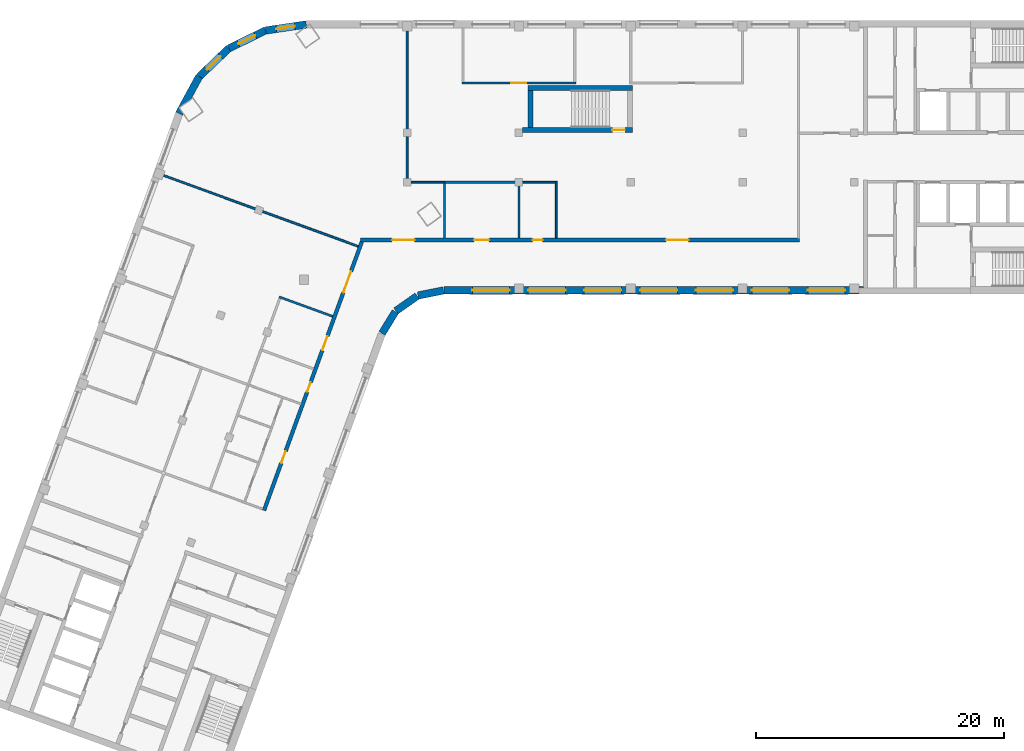
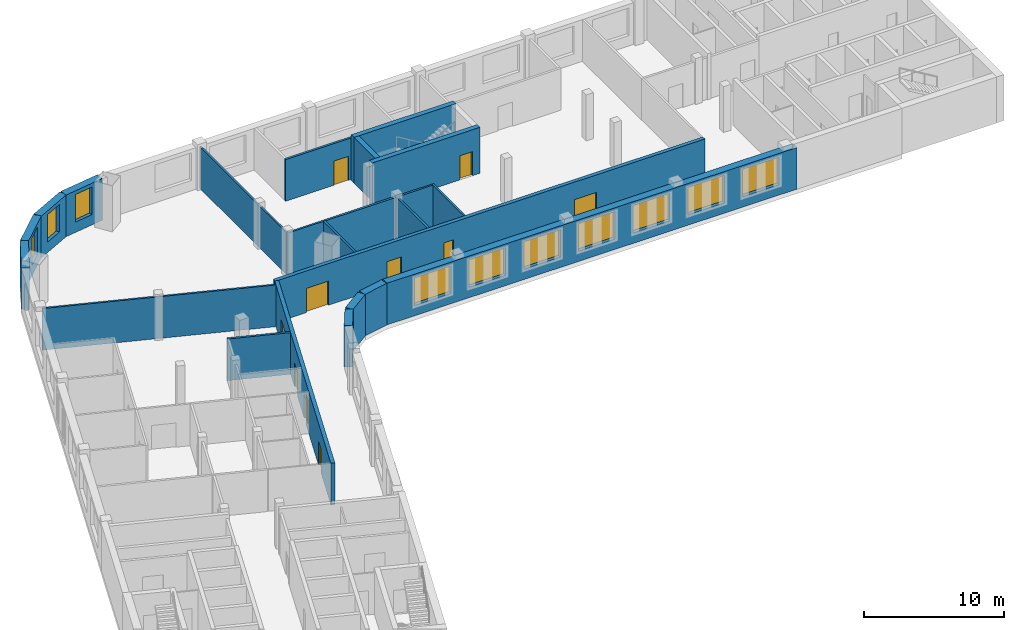
# One storey, part 4 of 8: 23 walls, 10 doors, 10 windows, 20 openings.
"""IFC4 building model written with IfcOpenShell, lengths in metres."""

from ifc_helpers import new_model, si_unit, direction, frame, frame_2d, origin, place, context, subcontext, project, spatial, rectangle, extrude, material, layer, layer_set, type_object, element, fill, save


model = new_model("IFC4")

# Units and contexts
model_context = context("Model", 3, precision=1e-05, world=origin(), true_north=direction((0.0, 1.0)))
body_context = subcontext(model_context, "Body", "Model", "MODEL_VIEW")
ifc_project = project(units=[si_unit("LENGTHUNIT", "METRE"), si_unit("AREAUNIT", "SQUARE_METRE"), si_unit("VOLUMEUNIT", "CUBIC_METRE"), si_unit("PLANEANGLEUNIT", "RADIAN"), si_unit("MASSUNIT", "GRAM", prefix="KILO")], contexts=[model_context])

# Site, building, storey
site_placement = place(None, origin())
site = spatial("IfcSite", under=ifc_project, at=site_placement, CompositionType="ELEMENT")
building_placement = place(site_placement, origin())
building = spatial("IfcBuilding", under=site, at=building_placement, Name="Skarvind Civic Tower", CompositionType="ELEMENT")
storey_placement = place(building_placement, frame((0.0, 0.0, 232.0)))
storey = spatial("IfcBuildingStorey", under=building, at=storey_placement, Name="L55", CompositionType="ELEMENT", Elevation=232.0)

# Walls
ifc_material_1 = material(Name="Acoustic gypsum board on steel studs", Category="steel")
ifc_layer_1 = layer(ifc_material_1, 0.175048828125)
ifc_layer_set_1 = layer_set([ifc_layer_1], Name="ACOUSTIC MEETING-ROOM PARTITION 175")
wall_type_1 = type_object("IfcWallType", Name="ACOUSTIC MEETING-ROOM PARTITION 175", PredefinedType="PARTITIONING", material=ifc_layer_set_1)
wall_1_placement = place(storey_placement, frame((48.260009765625, 115.205078125, 0.0), z_axis=(0.0, 0.0, 1.0), x_axis=(-0.939684589011, 0.34204220964, 0.0)))
element("IfcWall", 1, at=wall_1_placement, inside=storey, type_object=wall_type_1, Name="Partition 55.027", PredefinedType="PARTITIONING", context=body_context, shape_type="SweptSolid", body=[
    extrude(rectangle(XDim=4.586669921875, YDim=0.175048828125, at=frame_2d((2.29345703125, 0.0))), origin(), (0.0, 0.0, 1.0), 3.625),
])
wall_2_placement = place(storey_placement, frame((57.25, 125.9990234375, 0.0), z_axis=(0.0, 0.0, 1.0), x_axis=(0.0, -1.0, 0.0)))
element("IfcWall", 2, at=wall_2_placement, inside=storey, type_object=wall_type_1, Name="Partition 55.032", PredefinedType="PARTITIONING", context=body_context, shape_type="SweptSolid", body=[
    extrude(rectangle(XDim=4.498046875, YDim=0.175048828125, at=frame_2d((2.2490234375, 0.0))), origin(), (0.0, 0.0, 1.0), 3.625),
])
wall_3_placement = place(storey_placement, frame((63.25, 121.5, 0.0), z_axis=(0.0, 0.0, 1.0), x_axis=(0.0, 1.0, 0.0)))
element("IfcWall", 3, at=wall_3_placement, inside=storey, type_object=wall_type_1, Name="Partition 55.034", PredefinedType="PARTITIONING", context=body_context, shape_type="SweptSolid", body=[
    extrude(rectangle(XDim=4.412109375, YDim=0.175048828125, at=frame_2d((2.2060546875, 0.0))), origin(), (0.0, 0.0, 1.0), 3.625),
])
wall_4_placement = place(storey_placement, frame((63.25, 126.0, 0.0), z_axis=(0.0, 0.0, 1.0), x_axis=(-1.0, 0.0, 0.0)))
element("IfcWall", 4, at=wall_4_placement, inside=storey, type_object=wall_type_1, Name="Partition 55.035", PredefinedType="PARTITIONING", context=body_context, shape_type="SweptSolid", body=[
    extrude(rectangle(XDim=6.0, YDim=0.175048828125, at=frame_2d((3.0, 0.0))), origin(), (0.0, 0.0, 1.0), 3.625),
])

# Wall, opening, door
wall_5_placement = place(storey_placement, frame((67.837890625, 134.0, 0.0), z_axis=(0.0, 0.0, 1.0), x_axis=(-1.0, 0.0, 0.0)))
wall_5 = element("IfcWall", 5, at=wall_5_placement, inside=storey, type_object=wall_type_1, Name="Partition 55.038", PredefinedType="PARTITIONING", context=body_context, shape_type="SweptSolid", body=[
    extrude(rectangle(XDim=9.17578125, YDim=0.175048828125, at=frame_2d((4.587890625, 0.0))), origin(), (0.0, 0.0, 1.0), 3.625),
])
opening_1_placement = place(wall_5_placement, frame((3.988037109375, 0.0, 0.0)))
opening_1 = element("IfcOpeningElement", 6, at=opening_1_placement, cuts=wall_5, Name="Opening L55-D005", PredefinedType="OPENING", context=body_context, shape_type="SweptSolid", body=[
    extrude(rectangle(XDim=1.199951171875, YDim=2.10009765625, at=frame_2d((0.60009765625, 1.050048828125))), frame((0.0, 0.097412109375, 0.0), z_axis=(0.0, -1.0, 0.0), x_axis=(1.0, 0.0, 0.0)), (0.0, 0.0, 1.0), 0.195068359375),
])
ifc_material_2 = material(Name="Timber door leaf", Category="wood")
door_type_1 = type_object("IfcDoorType", Name="DOOR 1200X2100 DOUBLE TIMBER", OperationType="NOTDEFINED", PredefinedType="DOOR", material=ifc_material_2)
door_1_placement = place(opening_1_placement, origin())
door_1 = element("IfcDoor", 7, at=door_1_placement, inside=storey, type_object=door_type_1, Name="Door L55-D005", OperationType="DOUBLE_DOOR_SINGLE_SWING", OverallHeight=2.10009765625, OverallWidth=1.199951171875, PredefinedType="DOOR", context=body_context, shape_type="SweptSolid", body=[
    extrude(rectangle(XDim=1.199951171875, YDim=2.10009765625, at=frame_2d((0.60009765625, 1.050048828125))), frame((0.0, 0.02490234375, 0.0), z_axis=(0.0, -1.0, 0.0), x_axis=(1.0, 0.0, 0.0)), (0.0, 0.0, 1.0), 0.050048828125),
])
fill(opening_1, door_1)

# Wall, openings, doors
ifc_material_3 = material(Name="Fire-rated gypsum board on steel studs", Category="steel")
ifc_layer_2 = layer(ifc_material_3, 0.300048828125)
ifc_layer_set_2 = layer_set([ifc_layer_2], Name="CORRIDOR WALL 300")
wall_type_2 = type_object("IfcWallType", Name="CORRIDOR WALL 300", PredefinedType="PARTITIONING", material=ifc_layer_set_2)
wall_6_placement = place(storey_placement, frame((42.737060546875, 99.590087890625, 0.0), z_axis=(0.0, 0.0, 1.0), x_axis=(0.341992703977, 0.939702607438, 0.0)))
wall_6 = element("IfcWall", 8, at=wall_6_placement, inside=storey, type_object=wall_type_2, Name="Partition 55.023", PredefinedType="PARTITIONING", context=body_context, shape_type="SweptSolid", body=[
    extrude(rectangle(XDim=23.006103515625, YDim=0.300048828125, at=frame_2d((11.5029296875, 0.0))), origin(), (0.0, 0.0, 1.0), 3.625),
])
opening_2_placement = place(wall_6_placement, frame((4.0625, 0.0, 0.0)))
opening_2 = element("IfcOpeningElement", 9, at=opening_2_placement, cuts=wall_6, Name="Opening L55-D008", PredefinedType="OPENING", context=body_context, shape_type="SweptSolid", body=[
    extrude(rectangle(XDim=1.0, YDim=2.10009765625, at=frame_2d((0.5, 1.050048828125))), frame((0.0, 0.159912109375, 0.0), z_axis=(0.0, -1.0, 0.0), x_axis=(1.0, 0.0, 0.0)), (0.0, 0.0, 1.0), 0.320068359375),
])
opening_3_placement = place(wall_6_placement, frame((10.162353515625, 0.0, 0.0)))
opening_3 = element("IfcOpeningElement", 10, at=opening_3_placement, cuts=wall_6, Name="Opening L55-D014", PredefinedType="OPENING", context=body_context, shape_type="SweptSolid", body=[
    extrude(rectangle(XDim=0.800048828125, YDim=2.10009765625, at=frame_2d((0.39990234375, 1.050048828125))), frame((0.0, 0.159912109375, 0.0), z_axis=(0.0, -1.0, 0.0), x_axis=(1.0, 0.0, 0.0)), (0.0, 0.0, 1.0), 0.320068359375),
])
opening_4_placement = place(wall_6_placement, frame((13.71240234375, 0.0, 0.0)))
opening_4 = element("IfcOpeningElement", 11, at=opening_4_placement, cuts=wall_6, Name="Opening L55-D015", PredefinedType="OPENING", context=body_context, shape_type="SweptSolid", body=[
    extrude(rectangle(XDim=1.199951171875, YDim=2.10009765625, at=frame_2d((0.60009765625, 1.050048828125))), frame((0.0, 0.159912109375, 0.0), z_axis=(0.0, -1.0, 0.0), x_axis=(1.0, 0.0, 0.0)), (0.0, 0.0, 1.0), 0.320068359375),
])
opening_5_placement = place(wall_6_placement, frame((18.662353515625, 0.0, 0.0)))
opening_5 = element("IfcOpeningElement", 12, at=opening_5_placement, cuts=wall_6, Name="Opening L55-D018", PredefinedType="OPENING", context=body_context, shape_type="SweptSolid", body=[
    extrude(rectangle(XDim=1.800048828125, YDim=2.10009765625, at=frame_2d((0.89990234375, 1.050048828125))), frame((0.0, 0.159912109375, 0.0), z_axis=(0.0, -1.0, 0.0), x_axis=(1.0, 0.0, 0.0)), (0.0, 0.0, 1.0), 0.320068359375),
])
ifc_material_4 = material(Name="Fire-rated timber door leaf", Category="wood")
door_type_2 = type_object("IfcDoorType", Name="FD1 1000x2100", OperationType="NOTDEFINED", PredefinedType="DOOR", material=ifc_material_4)
door_2_placement = place(opening_2_placement, origin())
door_2 = element("IfcDoor", 13, at=door_2_placement, inside=storey, type_object=door_type_2, Name="Door L55-D008", OperationType="SINGLE_SWING_LEFT", OverallHeight=2.10009765625, OverallWidth=1.0, PredefinedType="DOOR", context=body_context, shape_type="SweptSolid", body=[
    extrude(rectangle(XDim=1.0, YDim=2.10009765625, at=frame_2d((0.5, 1.050048828125))), frame((0.0, 0.02490234375, 0.0), z_axis=(0.0, -1.0, 0.0), x_axis=(1.0, 0.0, 0.0)), (0.0, 0.0, 1.0), 0.050048828125),
])
fill(opening_2, door_2)
door_type_3 = type_object("IfcDoorType", Name="FD4 1800x2100", OperationType="NOTDEFINED", PredefinedType="DOOR", material=ifc_material_4)
door_3_placement = place(opening_5_placement, origin())
door_3 = element("IfcDoor", 14, at=door_3_placement, inside=storey, type_object=door_type_3, Name="Door L55-D018", OperationType="DOUBLE_DOOR_SINGLE_SWING", OverallHeight=2.10009765625, OverallWidth=1.800048828125, PredefinedType="DOOR", context=body_context, shape_type="SweptSolid", body=[
    extrude(rectangle(XDim=1.800048828125, YDim=2.10009765625, at=frame_2d((0.89990234375, 1.050048828125))), frame((0.0, 0.02490234375, 0.0), z_axis=(0.0, -1.0, 0.0), x_axis=(1.0, 0.0, 0.0)), (0.0, 0.0, 1.0), 0.050048828125),
])
fill(opening_5, door_3)
door_type_4 = type_object("IfcDoorType", Name="FD5 800x2100", OperationType="NOTDEFINED", PredefinedType="DOOR", material=ifc_material_4)
door_4_placement = place(opening_3_placement, origin())
door_4 = element("IfcDoor", 15, at=door_4_placement, inside=storey, type_object=door_type_4, Name="Door L55-D014", OperationType="SINGLE_SWING_RIGHT", OverallHeight=2.10009765625, OverallWidth=0.800048828125, PredefinedType="DOOR", context=body_context, shape_type="SweptSolid", body=[
    extrude(rectangle(XDim=0.800048828125, YDim=2.10009765625, at=frame_2d((0.39990234375, 1.050048828125))), frame((0.0, 0.02490234375, 0.0), z_axis=(0.0, -1.0, 0.0), x_axis=(1.0, 0.0, 0.0)), (0.0, 0.0, 1.0), 0.050048828125),
])
fill(opening_3, door_4)
door_type_5 = type_object("IfcDoorType", Name="FD6 1200x2100 DOUBLE", OperationType="NOTDEFINED", PredefinedType="DOOR", material=ifc_material_4)
door_5_placement = place(opening_4_placement, origin())
door_5 = element("IfcDoor", 16, at=door_5_placement, inside=storey, type_object=door_type_5, Name="Door L55-D015", OperationType="DOUBLE_DOOR_SINGLE_SWING", OverallHeight=2.10009765625, OverallWidth=1.199951171875, PredefinedType="DOOR", context=body_context, shape_type="SweptSolid", body=[
    extrude(rectangle(XDim=1.199951171875, YDim=2.10009765625, at=frame_2d((0.60009765625, 1.050048828125))), frame((0.0, 0.02490234375, 0.0), z_axis=(0.0, -1.0, 0.0), x_axis=(1.0, 0.0, 0.0)), (0.0, 0.0, 1.0), 0.050048828125),
])
fill(opening_4, door_5)

wall_7_placement = place(storey_placement, frame((50.506103515625, 121.35009765625, 0.0), z_axis=(0.0, 0.0, 1.0), x_axis=(1.0, 0.0, 0.0)))
wall_7 = element("IfcWall", 17, at=wall_7_placement, inside=storey, type_object=wall_type_2, Name="Partition 55.029", PredefinedType="PARTITIONING", context=body_context, shape_type="SweptSolid", body=[
    extrude(rectangle(XDim=35.31884765625, YDim=0.300048828125, at=frame_2d((17.659423828125, 0.0))), origin(), (0.0, 0.0, 1.0), 3.625),
])
opening_6_placement = place(wall_7_placement, frame((13.843994140625, 0.0, 0.0)))
opening_6 = element("IfcOpeningElement", 18, at=opening_6_placement, cuts=wall_7, Name="Opening L55-D002", PredefinedType="OPENING", context=body_context, shape_type="SweptSolid", body=[
    extrude(rectangle(XDim=0.800048828125, YDim=2.10009765625, at=frame_2d((0.39990234375, 1.050048828125))), frame((0.0, 0.159912109375, 0.0), z_axis=(0.0, -1.0, 0.0), x_axis=(1.0, 0.0, 0.0)), (0.0, 0.0, 1.0), 0.320068359375),
])
opening_7_placement = place(wall_7_placement, frame((9.14404296875, 0.0, 0.0)))
opening_7 = element("IfcOpeningElement", 19, at=opening_7_placement, cuts=wall_7, Name="Opening L55-D003", PredefinedType="OPENING", context=body_context, shape_type="SweptSolid", body=[
    extrude(rectangle(XDim=1.199951171875, YDim=2.10009765625, at=frame_2d((0.60009765625, 1.050048828125))), frame((0.0, 0.159912109375, 0.0), z_axis=(0.0, -1.0, 0.0), x_axis=(1.0, 0.0, 0.0)), (0.0, 0.0, 1.0), 0.320068359375),
])
opening_8_placement = place(wall_7_placement, frame((24.593994140625, 0.0, 0.0)))
opening_8 = element("IfcOpeningElement", 20, at=opening_8_placement, cuts=wall_7, Name="Opening L55-D006", PredefinedType="OPENING", context=body_context, shape_type="SweptSolid", body=[
    extrude(rectangle(XDim=1.800048828125, YDim=2.10009765625, at=frame_2d((0.89990234375, 1.050048828125))), frame((0.0, 0.159912109375, 0.0), z_axis=(0.0, -1.0, 0.0), x_axis=(1.0, 0.0, 0.0)), (0.0, 0.0, 1.0), 0.320068359375),
])
opening_9_placement = place(wall_7_placement, frame((2.54296875, 0.0, 0.0)))
opening_9 = element("IfcOpeningElement", 21, at=opening_9_placement, cuts=wall_7, Name="Opening L55-D019", PredefinedType="OPENING", context=body_context, shape_type="SweptSolid", body=[
    extrude(rectangle(XDim=1.800048828125, YDim=2.10009765625, at=frame_2d((0.89990234375, 1.050048828125))), frame((0.0, 0.159912109375, 0.0), z_axis=(0.0, -1.0, 0.0), x_axis=(1.0, 0.0, 0.0)), (0.0, 0.0, 1.0), 0.320068359375),
])
door_6_placement = place(opening_8_placement, origin())
door_6 = element("IfcDoor", 22, at=door_6_placement, inside=storey, type_object=door_type_3, Name="Door L55-D006", OperationType="DOUBLE_DOOR_SINGLE_SWING", OverallHeight=2.10009765625, OverallWidth=1.800048828125, PredefinedType="DOOR", context=body_context, shape_type="SweptSolid", body=[
    extrude(rectangle(XDim=1.800048828125, YDim=2.10009765625, at=frame_2d((0.89990234375, 1.050048828125))), frame((0.0, 0.02490234375, 0.0), z_axis=(0.0, -1.0, 0.0), x_axis=(1.0, 0.0, 0.0)), (0.0, 0.0, 1.0), 0.050048828125),
])
fill(opening_8, door_6)
door_7_placement = place(opening_9_placement, origin())
door_7 = element("IfcDoor", 23, at=door_7_placement, inside=storey, type_object=door_type_3, Name="Door L55-D019", OperationType="DOUBLE_DOOR_SINGLE_SWING", OverallHeight=2.10009765625, OverallWidth=1.800048828125, PredefinedType="DOOR", context=body_context, shape_type="SweptSolid", body=[
    extrude(rectangle(XDim=1.800048828125, YDim=2.10009765625, at=frame_2d((0.89990234375, 1.050048828125))), frame((0.0, 0.02490234375, 0.0), z_axis=(0.0, -1.0, 0.0), x_axis=(1.0, 0.0, 0.0)), (0.0, 0.0, 1.0), 0.050048828125),
])
fill(opening_9, door_7)
door_8_placement = place(opening_6_placement, origin())
door_8 = element("IfcDoor", 24, at=door_8_placement, inside=storey, type_object=door_type_4, Name="Door L55-D002", OperationType="SINGLE_SWING_LEFT", OverallHeight=2.10009765625, OverallWidth=0.800048828125, PredefinedType="DOOR", context=body_context, shape_type="SweptSolid", body=[
    extrude(rectangle(XDim=0.800048828125, YDim=2.10009765625, at=frame_2d((0.39990234375, 1.050048828125))), frame((0.0, 0.02490234375, 0.0), z_axis=(0.0, -1.0, 0.0), x_axis=(1.0, 0.0, 0.0)), (0.0, 0.0, 1.0), 0.050048828125),
])
fill(opening_6, door_8)
door_9_placement = place(opening_7_placement, origin())
door_9 = element("IfcDoor", 25, at=door_9_placement, inside=storey, type_object=door_type_5, Name="Door L55-D003", OperationType="DOUBLE_DOOR_SINGLE_SWING", OverallHeight=2.10009765625, OverallWidth=1.199951171875, PredefinedType="DOOR", context=body_context, shape_type="SweptSolid", body=[
    extrude(rectangle(XDim=1.199951171875, YDim=2.10009765625, at=frame_2d((0.60009765625, 1.050048828125))), frame((0.0, 0.02490234375, 0.0), z_axis=(0.0, -1.0, 0.0), x_axis=(1.0, 0.0, 0.0)), (0.0, 0.0, 1.0), 0.050048828125),
])
fill(opening_7, door_9)

# Wall, opening, door
ifc_material_5 = material(Name="Concrete C60", Category="concrete")
ifc_layer_3 = layer(ifc_material_5, 0.39990234375)
ifc_layer_set_3 = layer_set([ifc_layer_3], Name="Core wall 400 C60")
wall_type_3 = type_object("IfcWallType", Name="Core wall 400 C60", PredefinedType="SHEAR", material=ifc_layer_set_3)
wall_8_placement = place(storey_placement, frame((63.550048828125, 130.199951171875, 0.0), z_axis=(0.0, 0.0, 1.0), x_axis=(1.0, 0.0, 0.0)))
wall_8 = element("IfcWall", 26, at=wall_8_placement, inside=storey, type_object=wall_type_3, Name="Core wall CM inner L55", PredefinedType="SHEAR", context=body_context, shape_type="SweptSolid", body=[
    extrude(rectangle(XDim=8.849853515625, YDim=0.39990234375, at=frame_2d((4.4248046875, 0.0))), origin(), (0.0, 0.0, 1.0), 4.0),
])
opening_10_placement = place(wall_8_placement, frame((7.22509765625, 0.0, 0.0)))
opening_10 = element("IfcOpeningElement", 27, at=opening_10_placement, cuts=wall_8, Name="Opening D-L55-CM-01", PredefinedType="OPENING", context=body_context, shape_type="SweptSolid", body=[
    extrude(rectangle(XDim=1.0, YDim=2.10009765625, at=frame_2d((0.5, 1.050048828125))), frame((0.0, 0.2099609375, 0.0), z_axis=(0.0, -1.0, 0.0), x_axis=(1.0, 0.0, 0.0)), (0.0, 0.0, 1.0), 0.419921875),
])
ifc_material_6 = material(Name="Fire-rated steel door", Category="steel")
door_type_6 = type_object("IfcDoorType", Name="Fire door 1000", OperationType="NOTDEFINED", PredefinedType="DOOR", material=ifc_material_6)
door_10_placement = place(opening_10_placement, origin())
door_10 = element("IfcDoor", 28, at=door_10_placement, inside=storey, type_object=door_type_6, Name="Fire door", OperationType="SINGLE_SWING_LEFT", OverallHeight=2.10009765625, OverallWidth=1.0, PredefinedType="DOOR", context=body_context, shape_type="SweptSolid", body=[
    extrude(rectangle(XDim=1.0, YDim=2.10009765625, at=frame_2d((0.5, 1.050048828125))), frame((0.0, 0.02490234375, 0.0), z_axis=(0.0, -1.0, 0.0), x_axis=(1.0, 0.0, 0.0)), (0.0, 0.0, 1.0), 0.050048828125),
])
fill(opening_10, door_10)

# Walls
wall_9_placement = place(storey_placement, frame((64.0, 133.60009765625, 0.0), z_axis=(0.0, 0.0, 1.0), x_axis=(1.0, 0.0, 0.0)))
element("IfcWall", 29, at=wall_9_placement, inside=storey, type_object=wall_type_3, Name="Core wall CM outer L55", PredefinedType="SHEAR", context=body_context, shape_type="SweptSolid", body=[
    extrude(rectangle(XDim=8.39990234375, YDim=0.39990234375, at=frame_2d((4.199951171875, 0.0))), origin(), (0.0, 0.0, 1.0), 4.0),
])
wall_10_placement = place(storey_placement, frame((64.199951171875, 130.39990234375, 0.0), z_axis=(0.0, 0.0, 1.0), x_axis=(0.0, 1.0, 0.0)))
element("IfcWall", 30, at=wall_10_placement, inside=storey, type_object=wall_type_3, Name="Core wall CM west L55", PredefinedType="SHEAR", context=body_context, shape_type="SweptSolid", body=[
    extrude(rectangle(XDim=3.0, YDim=0.39990234375, at=frame_2d((1.5, 0.0))), origin(), (0.0, 0.0, 1.0), 4.0),
])
ifc_material_7 = material(Name="Plasterboard partition on steel studs", Category="steel")
ifc_layer_4 = layer(ifc_material_7, 0.14990234375)
ifc_layer_set_4 = layer_set([ifc_layer_4], Name="PARTITION 150")
wall_type_4 = type_object("IfcWallType", Name="PARTITION 150", PredefinedType="PARTITIONING", material=ifc_layer_set_4)
wall_11_placement = place(storey_placement, frame((50.31103515625, 120.843017578125, 0.0), z_axis=(0.0, 0.0, 1.0), x_axis=(-0.939664702396, 0.342096838733, 0.0)))
element("IfcWall", 31, at=wall_11_placement, inside=storey, type_object=wall_type_4, Name="Partition 55.028", PredefinedType="PARTITIONING", context=body_context, shape_type="SweptSolid", body=[
    extrude(rectangle(XDim=16.898681640625, YDim=0.14990234375, at=frame_2d((8.44921875, 0.0))), origin(), (0.0, 0.0, 1.0), 3.625),
])
wall_12_placement = place(storey_placement, frame((54.25, 138.39892578125, 0.0), z_axis=(0.0, 0.0, 1.0), x_axis=(0.0, -1.0, 0.0)))
element("IfcWall", 32, at=wall_12_placement, inside=storey, type_object=wall_type_4, Name="Partition 55.030", PredefinedType="PARTITIONING", context=body_context, shape_type="SweptSolid", body=[
    extrude(rectangle(XDim=12.39697265625, YDim=0.14990234375, at=frame_2d((6.198486328125, 0.0))), origin(), (0.0, 0.0, 1.0), 3.625),
])
wall_13_placement = place(storey_placement, frame((54.251953125, 126.0, 0.0), z_axis=(0.0, 0.0, 1.0), x_axis=(1.0, 0.0, 0.0)))
element("IfcWall", 33, at=wall_13_placement, inside=storey, type_object=wall_type_4, Name="Partition 55.031", PredefinedType="PARTITIONING", context=body_context, shape_type="SweptSolid", body=[
    extrude(rectangle(XDim=2.9970703125, YDim=0.14990234375, at=frame_2d((1.49853515625, 0.0))), origin(), (0.0, 0.0, 1.0), 3.625),
])
wall_14_placement = place(storey_placement, frame((66.25, 121.5, 0.0), z_axis=(0.0, 0.0, 1.0), x_axis=(0.0, 1.0, 0.0)))
element("IfcWall", 34, at=wall_14_placement, inside=storey, type_object=wall_type_4, Name="Partition 55.036", PredefinedType="PARTITIONING", context=body_context, shape_type="SweptSolid", body=[
    extrude(rectangle(XDim=4.574951171875, YDim=0.14990234375, at=frame_2d((2.28759765625, 0.0))), origin(), (0.0, 0.0, 1.0), 3.625),
])
wall_15_placement = place(storey_placement, frame((66.175048828125, 126.0, 0.0), z_axis=(0.0, 0.0, 1.0), x_axis=(-1.0, 0.0, 0.0)))
element("IfcWall", 35, at=wall_15_placement, inside=storey, type_object=wall_type_4, Name="Partition 55.037", PredefinedType="PARTITIONING", context=body_context, shape_type="SweptSolid", body=[
    extrude(rectangle(XDim=2.925048828125, YDim=0.14990234375, at=frame_2d((1.46240234375, 0.0))), origin(), (0.0, 0.0, 1.0), 3.625),
])
ifc_material_8 = material(Name="Limestone masonry cladding on insulated backing", Category="masonry")
ifc_layer_5 = layer(ifc_material_8, 0.60009765625)
ifc_layer_set_5 = layer_set([ifc_layer_5], Name="WX1 STONE FACADE WALL 600")
wall_type_5 = type_object("IfcWallType", Name="WX1 STONE FACADE WALL 600", PredefinedType="SOLIDWALL", material=ifc_layer_set_5)
wall_16_placement = place(storey_placement, frame((53.30517578125, 115.578369140625, 0.0), z_axis=(0.0, 0.0, 1.0), x_axis=(-0.522402266438, -0.852699168535, 0.0)))
element("IfcWall", 36, at=wall_16_placement, inside=storey, type_object=wall_type_5, Name="STONE FACADE WALL", PredefinedType="SOLIDWALL", context=body_context, shape_type="SweptSolid", body=[
    extrude(rectangle(XDim=2.042236328125, YDim=0.60009765625, at=frame_2d((1.02099609375, 0.0))), origin(), (0.0, 0.0, 1.0), 3.625),
])
for number, where, z_axis, x_axis, name in (
    (37, (55.061767578125, 116.8388671875, 0.0), (0.0, 0.0, 1.0), (-0.819122269495, -0.573618956815, 0.0), "STONE FACADE WALL"),
    (38, (57.17529296875, 117.2939453125, 0.0), (0.0, 0.0, 1.0), (-0.97996099083, -0.19918949885, 0.0), "STONE FACADE WALL"),
):
    element("IfcWall", number, at=place(storey_placement, frame(where, z_axis=z_axis, x_axis=x_axis)), inside=storey, type_object=wall_type_5, Name=name, PredefinedType="SOLIDWALL", context=body_context, shape_type="SweptSolid", body=[
        extrude(rectangle(XDim=2.09228515625, YDim=0.60009765625, at=frame_2d((1.046142578125, 0.0))), origin(), (0.0, 0.0, 1.0), 3.625),
    ])

# Wall, openings, windows
wall_17_placement = place(storey_placement, frame((90.97998046875, 117.300048828125, 0.0), z_axis=(0.0, 0.0, 1.0), x_axis=(-1.0, 0.0, 0.0)))
wall_17 = element("IfcWall", 39, at=wall_17_placement, inside=storey, type_object=wall_type_5, Name="STONE FACADE WALL", PredefinedType="SOLIDWALL", context=body_context, shape_type="SweptSolid", body=[
    extrude(rectangle(XDim=33.744873046875, YDim=0.60009765625, at=frame_2d((16.87255859375, 0.0))), origin(), (0.0, 0.0, 1.0), 3.625),
])
opening_11_placement = place(wall_17_placement, frame((1.47998046875, 0.0, 0.89990234375)))
opening_11 = element("IfcOpeningElement", 40, at=opening_11_placement, cuts=wall_17, Name="Opening WN1", PredefinedType="OPENING", context=body_context, shape_type="SweptSolid", body=[
    extrude(rectangle(XDim=3.0, YDim=2.39990234375, at=frame_2d((1.5, 1.199951171875))), frame((0.0, 0.31005859375, 0.0), z_axis=(0.0, -1.0, 0.0), x_axis=(1.0, 0.0, 0.0)), (0.0, 0.0, 1.0), 0.6201171875),
])
opening_12_placement = place(wall_17_placement, frame((5.97998046875, 0.0, 0.89990234375)))
opening_12 = element("IfcOpeningElement", 41, at=opening_12_placement, cuts=wall_17, Name="Opening WN1", PredefinedType="OPENING", context=body_context, shape_type="SweptSolid", body=[
    extrude(rectangle(XDim=3.0, YDim=2.39990234375, at=frame_2d((1.5, 1.199951171875))), frame((0.0, 0.31005859375, 0.0), z_axis=(0.0, -1.0, 0.0), x_axis=(1.0, 0.0, 0.0)), (0.0, 0.0, 1.0), 0.6201171875),
])
opening_13_placement = place(wall_17_placement, frame((10.47998046875, 0.0, 0.89990234375)))
opening_13 = element("IfcOpeningElement", 42, at=opening_13_placement, cuts=wall_17, Name="Opening WN1", PredefinedType="OPENING", context=body_context, shape_type="SweptSolid", body=[
    extrude(rectangle(XDim=3.0, YDim=2.39990234375, at=frame_2d((1.5, 1.199951171875))), frame((0.0, 0.31005859375, 0.0), z_axis=(0.0, -1.0, 0.0), x_axis=(1.0, 0.0, 0.0)), (0.0, 0.0, 1.0), 0.6201171875),
])
opening_14_placement = place(wall_17_placement, frame((14.97998046875, 0.0, 0.89990234375)))
opening_14 = element("IfcOpeningElement", 43, at=opening_14_placement, cuts=wall_17, Name="Opening WN1", PredefinedType="OPENING", context=body_context, shape_type="SweptSolid", body=[
    extrude(rectangle(XDim=3.0, YDim=2.39990234375, at=frame_2d((1.5, 1.199951171875))), frame((0.0, 0.31005859375, 0.0), z_axis=(0.0, -1.0, 0.0), x_axis=(1.0, 0.0, 0.0)), (0.0, 0.0, 1.0), 0.6201171875),
])
opening_15_placement = place(wall_17_placement, frame((19.47998046875, 0.0, 0.89990234375)))
opening_15 = element("IfcOpeningElement", 44, at=opening_15_placement, cuts=wall_17, Name="Opening WN1", PredefinedType="OPENING", context=body_context, shape_type="SweptSolid", body=[
    extrude(rectangle(XDim=3.0, YDim=2.39990234375, at=frame_2d((1.5, 1.199951171875))), frame((0.0, 0.31005859375, 0.0), z_axis=(0.0, -1.0, 0.0), x_axis=(1.0, 0.0, 0.0)), (0.0, 0.0, 1.0), 0.6201171875),
])
opening_16_placement = place(wall_17_placement, frame((23.97998046875, 0.0, 0.89990234375)))
opening_16 = element("IfcOpeningElement", 45, at=opening_16_placement, cuts=wall_17, Name="Opening WN1", PredefinedType="OPENING", context=body_context, shape_type="SweptSolid", body=[
    extrude(rectangle(XDim=3.0, YDim=2.39990234375, at=frame_2d((1.5, 1.199951171875))), frame((0.0, 0.31005859375, 0.0), z_axis=(0.0, -1.0, 0.0), x_axis=(1.0, 0.0, 0.0)), (0.0, 0.0, 1.0), 0.6201171875),
])
opening_17_placement = place(wall_17_placement, frame((28.47998046875, 0.0, 0.89990234375)))
opening_17 = element("IfcOpeningElement", 46, at=opening_17_placement, cuts=wall_17, Name="Opening WN1", PredefinedType="OPENING", context=body_context, shape_type="SweptSolid", body=[
    extrude(rectangle(XDim=3.0, YDim=2.39990234375, at=frame_2d((1.5, 1.199951171875))), frame((0.0, 0.31005859375, 0.0), z_axis=(0.0, -1.0, 0.0), x_axis=(1.0, 0.0, 0.0)), (0.0, 0.0, 1.0), 0.6201171875),
])
ifc_material_9 = material(Name="Timber frame, double glazing, timber-lined reveal", Category="wood")
window_type_1 = type_object("IfcWindowType", Name="WN1 PUNCHED STONE WINDOW 3000 x 2400", PartitioningType="SINGLE_PANEL", PredefinedType="WINDOW", material=ifc_material_9)
window_1_placement = place(opening_11_placement, origin())
window_1 = element("IfcWindow", 47, at=window_1_placement, inside=storey, type_object=window_type_1, Name="WN1 WINDOW", OverallHeight=2.39990234375, OverallWidth=3.0, PartitioningType="SINGLE_PANEL", PredefinedType="WINDOW", context=body_context, shape_type="SweptSolid", body=[
    extrude(rectangle(XDim=3.0, YDim=2.39990234375, at=frame_2d((1.5, 1.199951171875))), frame((0.0, 0.030029296875, 0.0), z_axis=(0.0, -1.0, 0.0), x_axis=(1.0, 0.0, 0.0)), (0.0, 0.0, 1.0), 0.06005859375),
])
fill(opening_11, window_1)
window_2_placement = place(opening_12_placement, origin())
window_2 = element("IfcWindow", 48, at=window_2_placement, inside=storey, type_object=window_type_1, Name="WN1 WINDOW", OverallHeight=2.39990234375, OverallWidth=3.0, PartitioningType="SINGLE_PANEL", PredefinedType="WINDOW", context=body_context, shape_type="SweptSolid", body=[
    extrude(rectangle(XDim=3.0, YDim=2.39990234375, at=frame_2d((1.5, 1.199951171875))), frame((0.0, 0.030029296875, 0.0), z_axis=(0.0, -1.0, 0.0), x_axis=(1.0, 0.0, 0.0)), (0.0, 0.0, 1.0), 0.06005859375),
])
fill(opening_12, window_2)
window_3_placement = place(opening_13_placement, origin())
window_3 = element("IfcWindow", 49, at=window_3_placement, inside=storey, type_object=window_type_1, Name="WN1 WINDOW", OverallHeight=2.39990234375, OverallWidth=3.0, PartitioningType="SINGLE_PANEL", PredefinedType="WINDOW", context=body_context, shape_type="SweptSolid", body=[
    extrude(rectangle(XDim=3.0, YDim=2.39990234375, at=frame_2d((1.5, 1.199951171875))), frame((0.0, 0.030029296875, 0.0), z_axis=(0.0, -1.0, 0.0), x_axis=(1.0, 0.0, 0.0)), (0.0, 0.0, 1.0), 0.06005859375),
])
fill(opening_13, window_3)
window_4_placement = place(opening_14_placement, origin())
window_4 = element("IfcWindow", 50, at=window_4_placement, inside=storey, type_object=window_type_1, Name="WN1 WINDOW", OverallHeight=2.39990234375, OverallWidth=3.0, PartitioningType="SINGLE_PANEL", PredefinedType="WINDOW", context=body_context, shape_type="SweptSolid", body=[
    extrude(rectangle(XDim=3.0, YDim=2.39990234375, at=frame_2d((1.5, 1.199951171875))), frame((0.0, 0.030029296875, 0.0), z_axis=(0.0, -1.0, 0.0), x_axis=(1.0, 0.0, 0.0)), (0.0, 0.0, 1.0), 0.06005859375),
])
fill(opening_14, window_4)
window_5_placement = place(opening_15_placement, origin())
window_5 = element("IfcWindow", 51, at=window_5_placement, inside=storey, type_object=window_type_1, Name="WN1 WINDOW", OverallHeight=2.39990234375, OverallWidth=3.0, PartitioningType="SINGLE_PANEL", PredefinedType="WINDOW", context=body_context, shape_type="SweptSolid", body=[
    extrude(rectangle(XDim=3.0, YDim=2.39990234375, at=frame_2d((1.5, 1.199951171875))), frame((0.0, 0.030029296875, 0.0), z_axis=(0.0, -1.0, 0.0), x_axis=(1.0, 0.0, 0.0)), (0.0, 0.0, 1.0), 0.06005859375),
])
fill(opening_15, window_5)
window_6_placement = place(opening_16_placement, origin())
window_6 = element("IfcWindow", 52, at=window_6_placement, inside=storey, type_object=window_type_1, Name="WN1 WINDOW", OverallHeight=2.39990234375, OverallWidth=3.0, PartitioningType="SINGLE_PANEL", PredefinedType="WINDOW", context=body_context, shape_type="SweptSolid", body=[
    extrude(rectangle(XDim=3.0, YDim=2.39990234375, at=frame_2d((1.5, 1.199951171875))), frame((0.0, 0.030029296875, 0.0), z_axis=(0.0, -1.0, 0.0), x_axis=(1.0, 0.0, 0.0)), (0.0, 0.0, 1.0), 0.06005859375),
])
fill(opening_16, window_6)
window_7_placement = place(opening_17_placement, origin())
window_7 = element("IfcWindow", 53, at=window_7_placement, inside=storey, type_object=window_type_1, Name="WN1 WINDOW", OverallHeight=2.39990234375, OverallWidth=3.0, PartitioningType="SINGLE_PANEL", PredefinedType="WINDOW", context=body_context, shape_type="SweptSolid", body=[
    extrude(rectangle(XDim=3.0, YDim=2.39990234375, at=frame_2d((1.5, 1.199951171875))), frame((0.0, 0.030029296875, 0.0), z_axis=(0.0, -1.0, 0.0), x_axis=(1.0, 0.0, 0.0)), (0.0, 0.0, 1.0), 0.06005859375),
])
fill(opening_17, window_7)

# Wall, opening, window
wall_18_placement = place(storey_placement, frame((42.872802734375, 138.21728515625, 0.0), z_axis=(0.0, 0.0, 1.0), x_axis=(0.989110792192, 0.14717282619, 0.0)))
wall_18 = element("IfcWall", 54, at=wall_18_placement, inside=storey, type_object=wall_type_5, Name="STONE FACADE WALL", PredefinedType="SOLIDWALL", context=body_context, shape_type="SweptSolid", body=[
    extrude(rectangle(XDim=3.302734375, YDim=0.60009765625, at=frame_2d((1.6513671875, 0.0))), origin(), (0.0, 0.0, 1.0), 3.625),
])
opening_18_placement = place(wall_18_placement, frame((0.8564453125, 0.0, 0.89990234375)))
opening_18 = element("IfcOpeningElement", 55, at=opening_18_placement, cuts=wall_18, Name="Opening WN8", PredefinedType="OPENING", context=body_context, shape_type="SweptSolid", body=[
    extrude(rectangle(XDim=1.5, YDim=2.39990234375, at=frame_2d((0.75, 1.199951171875))), frame((0.0, 0.31005859375, 0.0), z_axis=(0.0, -1.0, 0.0), x_axis=(1.0, 0.0, 0.0)), (0.0, 0.0, 1.0), 0.6201171875),
])
window_type_2 = type_object("IfcWindowType", Name="WN8 ARC BAY WINDOW 1500 x 2400", PartitioningType="SINGLE_PANEL", PredefinedType="WINDOW", material=ifc_material_9)
window_8_placement = place(opening_18_placement, origin())
window_8 = element("IfcWindow", 56, at=window_8_placement, inside=storey, type_object=window_type_2, Name="WN8 WINDOW", OverallHeight=2.39990234375, OverallWidth=1.5, PartitioningType="SINGLE_PANEL", PredefinedType="WINDOW", context=body_context, shape_type="SweptSolid", body=[
    extrude(rectangle(XDim=1.5, YDim=2.39990234375, at=frame_2d((0.75, 1.199951171875))), frame((0.0, 0.030029296875, 0.0), z_axis=(0.0, -1.0, 0.0), x_axis=(1.0, 0.0, 0.0)), (0.0, 0.0, 1.0), 0.06005859375),
])
fill(opening_18, window_8)

wall_19_placement = place(storey_placement, frame((39.9072265625, 136.77587890625, 0.0), z_axis=(0.0, 0.0, 1.0), x_axis=(0.89761231107, 0.440785819889, 0.0)))
wall_19 = element("IfcWall", 57, at=wall_19_placement, inside=storey, type_object=wall_type_5, Name="STONE FACADE WALL", PredefinedType="SOLIDWALL", context=body_context, shape_type="SweptSolid", body=[
    extrude(rectangle(XDim=3.302734375, YDim=0.60009765625, at=frame_2d((1.6513671875, 0.0))), origin(), (0.0, 0.0, 1.0), 3.625),
])
opening_19_placement = place(wall_19_placement, frame((0.8564453125, 0.0, 0.89990234375)))
opening_19 = element("IfcOpeningElement", 58, at=opening_19_placement, cuts=wall_19, Name="Opening WN8", PredefinedType="OPENING", context=body_context, shape_type="SweptSolid", body=[
    extrude(rectangle(XDim=1.5, YDim=2.39990234375, at=frame_2d((0.75, 1.199951171875))), frame((0.0, 0.31005859375, 0.0), z_axis=(0.0, -1.0, 0.0), x_axis=(1.0, 0.0, 0.0)), (0.0, 0.0, 1.0), 0.6201171875),
])
window_9_placement = place(opening_19_placement, origin())
window_9 = element("IfcWindow", 59, at=window_9_placement, inside=storey, type_object=window_type_2, Name="WN8 WINDOW", OverallHeight=2.39990234375, OverallWidth=1.5, PartitioningType="SINGLE_PANEL", PredefinedType="WINDOW", context=body_context, shape_type="SweptSolid", body=[
    extrude(rectangle(XDim=1.5, YDim=2.39990234375, at=frame_2d((0.75, 1.199951171875))), frame((0.0, 0.030029296875, 0.0), z_axis=(0.0, -1.0, 0.0), x_axis=(1.0, 0.0, 0.0)), (0.0, 0.0, 1.0), 0.06005859375),
])
fill(opening_19, window_9)

wall_20_placement = place(storey_placement, frame((37.520263671875, 134.501220703125, 0.0), z_axis=(0.0, 0.0, 1.0), x_axis=(0.72115684486, 0.692771827596, 0.0)))
wall_20 = element("IfcWall", 60, at=wall_20_placement, inside=storey, type_object=wall_type_5, Name="STONE FACADE WALL", PredefinedType="SOLIDWALL", context=body_context, shape_type="SweptSolid", body=[
    extrude(rectangle(XDim=3.302734375, YDim=0.60009765625, at=frame_2d((1.6513671875, 0.0))), origin(), (0.0, 0.0, 1.0), 3.625),
])
opening_20_placement = place(wall_20_placement, frame((0.8564453125, 0.0, 0.89990234375)))
opening_20 = element("IfcOpeningElement", 61, at=opening_20_placement, cuts=wall_20, Name="Opening WN8", PredefinedType="OPENING", context=body_context, shape_type="SweptSolid", body=[
    extrude(rectangle(XDim=1.5, YDim=2.39990234375, at=frame_2d((0.75, 1.199951171875))), frame((0.0, 0.31005859375, 0.0), z_axis=(0.0, -1.0, 0.0), x_axis=(1.0, 0.0, 0.0)), (0.0, 0.0, 1.0), 0.6201171875),
])
window_10_placement = place(opening_20_placement, origin())
window_10 = element("IfcWindow", 62, at=window_10_placement, inside=storey, type_object=window_type_2, Name="WN8 WINDOW", OverallHeight=2.39990234375, OverallWidth=1.5, PartitioningType="SINGLE_PANEL", PredefinedType="WINDOW", context=body_context, shape_type="SweptSolid", body=[
    extrude(rectangle(XDim=1.5, YDim=2.39990234375, at=frame_2d((0.75, 1.199951171875))), frame((0.0, 0.030029296875, 0.0), z_axis=(0.0, -1.0, 0.0), x_axis=(1.0, 0.0, 0.0)), (0.0, 0.0, 1.0), 0.06005859375),
])
fill(opening_20, window_10)

# Wall
wall_21_placement = place(storey_placement, frame((35.89453125, 131.529541015625, 0.0), z_axis=(0.0, 0.0, 1.0), x_axis=(0.476531180538, 0.879157570618, 0.0)))
element("IfcWall", 63, at=wall_21_placement, inside=storey, type_object=wall_type_5, Name="STONE FACADE WALL", PredefinedType="SOLIDWALL", context=body_context, shape_type="SweptSolid", body=[
    extrude(rectangle(XDim=3.392578125, YDim=0.60009765625, at=frame_2d((1.6962890625, 0.0))), origin(), (0.0, 0.0, 1.0), 3.625),
])

save(model, "model.ifc")
